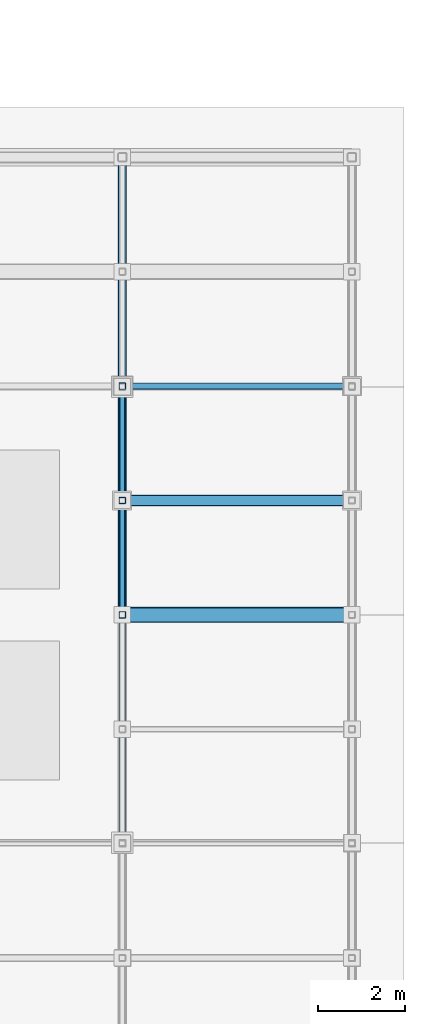
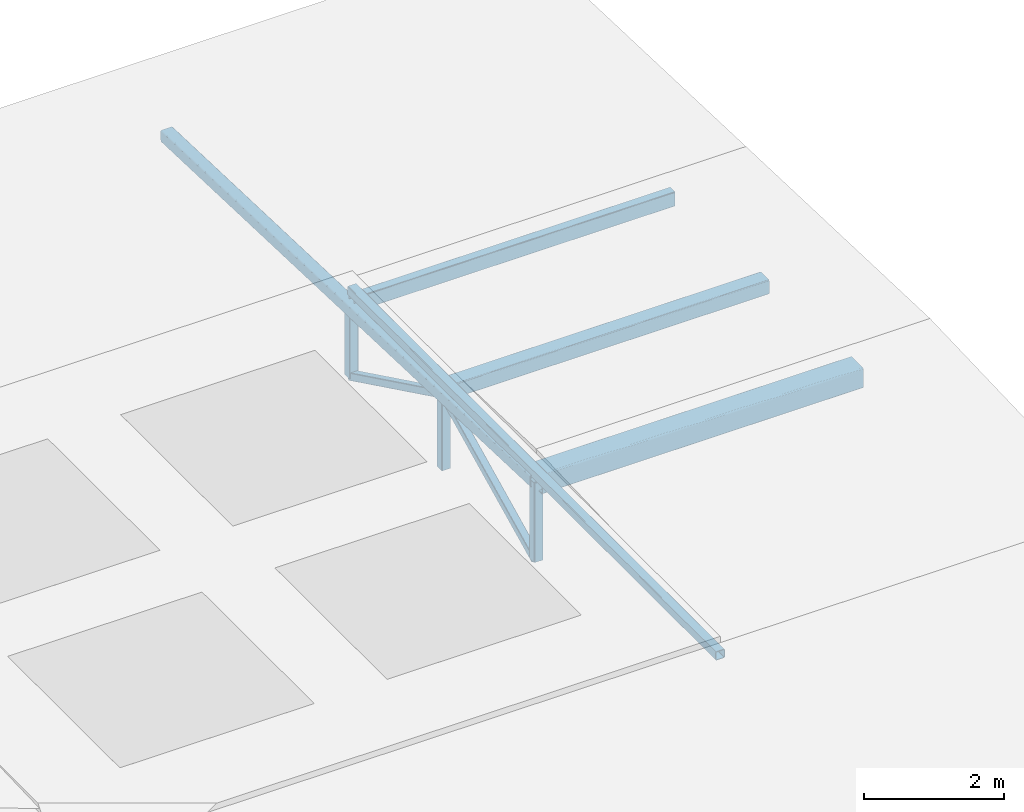
# One storey, part 5 of 25: 8 members, 2 beams.
"""IFC4 building model written with IfcOpenShell, lengths in metres."""

from ifc_helpers import new_model, si_unit, direction, frame, origin, origin_2d, place, context, subcontext, project, spatial, hollow_rectangle, extrude, material, material_profile, profile_set, type_object, element, save


model = new_model("IFC4")

# Units and contexts
model_context = context("Model", 3, precision=1e-05, world=origin(), true_north=direction((0.0, 1.0)))
body_context = subcontext(model_context, "Body", "Model", "MODEL_VIEW")
ifc_project = project(units=[si_unit("LENGTHUNIT", "METRE"), si_unit("AREAUNIT", "SQUARE_METRE"), si_unit("VOLUMEUNIT", "CUBIC_METRE"), si_unit("PLANEANGLEUNIT", "RADIAN"), si_unit("MASSUNIT", "GRAM", prefix="KILO"), si_unit("THERMODYNAMICTEMPERATUREUNIT", "KELVIN"), si_unit("POWERUNIT", "WATT")], contexts=[model_context])

# Site, building, storey
site_placement = place(None, origin())
site = spatial("IfcSite", under=ifc_project, at=site_placement, CompositionType="ELEMENT")
building_placement = place(site_placement, origin())
building = spatial("IfcBuilding", under=site, at=building_placement, Name="Zelmaris Science Centre", CompositionType="ELEMENT")
storey_placement = place(building_placement, frame((0.0, 0.0, 30.0)))
storey = spatial("IfcBuildingStorey", under=building, at=storey_placement, Name="RF", CompositionType="ELEMENT", Elevation=30.0)

# Beams
ifc_material = material(Name="Steel ASTM A500 Grade C", Category="steel")
ifc_material_profile_1 = material_profile(ifc_material, hollow_rectangle(XDim=0.203125, YDim=0.203125, WallThickness=0.01171875, InnerFilletRadius=0.01171875, OuterFilletRadius=0.023681640625, at=origin_2d()), Name="HSS203X203X13")
ifc_profile_set_1 = profile_set([ifc_material_profile_1], Name="Steel ASTM A500 Grade C")
beam_type_1 = type_object("IfcBeamType", Name="Beam G-20 HSS203X203X13", PredefinedType="BEAM", material=ifc_profile_set_1)
beam_1_placement = place(storey_placement, frame((86.25, 36.0, 1.728271484375), z_axis=(0.0, 0.99934977862, -0.036055789719), x_axis=(-1.0, 0.0, 0.0)))
element("IfcBeam", 1, at=beam_1_placement, inside=storey, type_object=beam_type_1, Name="RF-V2 Roof truss 3 north top chord", PredefinedType="BEAM", context=body_context, shape_type="SweptSolid", body=[
    extrude(hollow_rectangle(XDim=0.203125, YDim=0.203125, WallThickness=0.01171875, InnerFilletRadius=0.01171875, OuterFilletRadius=0.023681640625, at=origin_2d()), origin(), (0.0, 0.0, 1.0), 10.542724609375),
])
ifc_material_profile_2 = material_profile(ifc_material, hollow_rectangle(XDim=0.15234375, YDim=0.15234375, WallThickness=0.0087890625, InnerFilletRadius=0.0087890625, OuterFilletRadius=0.017822265625, at=origin_2d()), Name="HSS152X152X10")
ifc_profile_set_2 = profile_set([ifc_material_profile_2], Name="Steel ASTM A500 Grade C")
beam_type_2 = type_object("IfcBeamType", Name="Beam G-21 HSS152X152X10", PredefinedType="BEAM", material=ifc_profile_set_2)
beam_2_placement = place(storey_placement, frame((86.25, 30.75, 1.860107421875), z_axis=(0.0, 1.0, 0.0), x_axis=(-1.0, 0.0, 0.0)))
element("IfcBeam", 2, at=beam_2_placement, inside=storey, type_object=beam_type_2, Name="RF-V2 Lantern transverse header 3", PredefinedType="BEAM", context=body_context, shape_type="SweptSolid", body=[
    extrude(hollow_rectangle(XDim=0.15234375, YDim=0.15234375, WallThickness=0.0087890625, InnerFilletRadius=0.0087890625, OuterFilletRadius=0.017822265625, at=origin_2d()), origin(), (0.0, 0.0, 1.0), 10.5),
])

# Members
ifc_material_profile_3 = material_profile(ifc_material, hollow_rectangle(XDim=0.15234375, YDim=0.25390625, WallThickness=0.0087890625, InnerFilletRadius=0.0087890625, OuterFilletRadius=0.017822265625, at=origin_2d()), Name="HSS254X152X10")
ifc_profile_set_3 = profile_set([ifc_material_profile_3], Name="Steel ASTM A500 Grade C")
member_type_1 = type_object("IfcMemberType", Name="Roof Purlin PR-01 HSS254X152X10", PredefinedType="PURLIN", material=ifc_profile_set_3)
member_1_placement = place(storey_placement, frame((86.25, 41.267822265625, 1.60791015625), z_axis=(1.0, 0.0, 0.0), x_axis=(0.0, 1.0, 0.0)))
element("IfcMember", 3, at=member_1_placement, inside=storey, type_object=member_type_1, Name="RF-V2 Roof purlin 22", PredefinedType="PURLIN", context=body_context, shape_type="SweptSolid", body=[
    extrude(hollow_rectangle(XDim=0.15234375, YDim=0.25390625, WallThickness=0.0087890625, InnerFilletRadius=0.0087890625, OuterFilletRadius=0.017822265625, at=origin_2d()), origin(), (0.0, 0.0, 1.0), 5.285888671875),
])
ifc_material_profile_4 = material_profile(ifc_material, hollow_rectangle(XDim=0.355712890625, YDim=0.355712890625, WallThickness=0.0146484375, InnerFilletRadius=0.0146484375, OuterFilletRadius=0.029296875, at=origin_2d()), Name="HSS356X356X16")
ifc_profile_set_4 = profile_set([ifc_material_profile_4], Name="Steel ASTM A500 Grade C")
member_type_2 = type_object("IfcMemberType", Name="Roof Purlin PR-08 HSS356X356X16", PredefinedType="PURLIN", material=ifc_profile_set_4)
member_2_placement = place(storey_placement, frame((86.25, 36.0, 1.7470703125), z_axis=(1.0, 0.0, 0.0), x_axis=(0.0, 1.0, 0.0)))
element("IfcMember", 4, at=member_2_placement, inside=storey, type_object=member_type_2, Name="RF-V2 Roof purlin 20", PredefinedType="PURLIN", context=body_context, shape_type="SweptSolid", body=[
    extrude(hollow_rectangle(XDim=0.355712890625, YDim=0.355712890625, WallThickness=0.0146484375, InnerFilletRadius=0.0146484375, OuterFilletRadius=0.029296875, at=origin_2d()), origin(), (0.0, 0.0, 1.0), 5.285888671875),
])
ifc_material_profile_5 = material_profile(ifc_material, hollow_rectangle(XDim=0.25390625, YDim=0.25390625, WallThickness=0.01171875, InnerFilletRadius=0.01171875, OuterFilletRadius=0.023681640625, at=origin_2d()), Name="HSS254X254X13")
ifc_profile_set_5 = profile_set([ifc_material_profile_5], Name="Steel ASTM A500 Grade C")
member_type_3 = type_object("IfcMemberType", Name="Roof Purlin PR-09 HSS254X254X13", PredefinedType="PURLIN", material=ifc_profile_set_5)
member_3_placement = place(storey_placement, frame((86.25, 38.634033203125, 1.702880859375), z_axis=(1.0, 0.0, 0.0), x_axis=(0.0, 1.0, 0.0)))
element("IfcMember", 5, at=member_3_placement, inside=storey, type_object=member_type_3, Name="RF-V2 Roof purlin 21", PredefinedType="PURLIN", context=body_context, shape_type="SweptSolid", body=[
    extrude(hollow_rectangle(XDim=0.25390625, YDim=0.25390625, WallThickness=0.01171875, InnerFilletRadius=0.01171875, OuterFilletRadius=0.023681640625, at=origin_2d()), origin(), (0.0, 0.0, 1.0), 5.285888671875),
])
ifc_material_profile_6 = material_profile(ifc_material, hollow_rectangle(XDim=0.15234375, YDim=0.15234375, WallThickness=0.0087890625, InnerFilletRadius=0.0087890625, OuterFilletRadius=0.017822265625, at=origin_2d()), Name="HSS152X152X10")
ifc_profile_set_6 = profile_set([ifc_material_profile_6], Name="Steel ASTM A500 Grade C")
member_type_4 = type_object("IfcMemberType", Name="Structural Brace BR-03 HSS152X152X10", PredefinedType="BRACE", material=ifc_profile_set_6)
member_4_placement = place(storey_placement, frame((86.25, 36.0, 0.34814453125), z_axis=(0.0, 0.0, 1.0), x_axis=(1.0, 0.0, 0.0)))
element("IfcMember", 6, at=member_4_placement, inside=storey, type_object=member_type_4, Name="RF-V2 Roof truss 3 vertical web 4", PredefinedType="BRACE", context=body_context, shape_type="SweptSolid", body=[
    extrude(hollow_rectangle(XDim=0.15234375, YDim=0.15234375, WallThickness=0.0087890625, InnerFilletRadius=0.0087890625, OuterFilletRadius=0.017822265625, at=origin_2d()), origin(), (0.0, 0.0, 1.0), 1.380126953125),
])
member_5_placement = place(storey_placement, frame((86.25, 38.634033203125, 0.34814453125), z_axis=(0.0, 0.0, 1.0), x_axis=(1.0, 0.0, 0.0)))
element("IfcMember", 7, at=member_5_placement, inside=storey, type_object=member_type_4, Name="RF-V2 Roof truss 3 vertical web 5", PredefinedType="BRACE", context=body_context, shape_type="SweptSolid", body=[
    extrude(hollow_rectangle(XDim=0.15234375, YDim=0.15234375, WallThickness=0.0087890625, InnerFilletRadius=0.0087890625, OuterFilletRadius=0.017822265625, at=origin_2d()), origin(), (0.0, 0.0, 1.0), 1.28515625),
])
member_6_placement = place(storey_placement, frame((86.25, 41.267822265625, 0.34814453125), z_axis=(0.0, 0.0, 1.0), x_axis=(1.0, 0.0, 0.0)))
element("IfcMember", 8, at=member_6_placement, inside=storey, type_object=member_type_4, Name="RF-V2 Roof truss 3 vertical web 6", PredefinedType="BRACE", context=body_context, shape_type="SweptSolid", body=[
    extrude(hollow_rectangle(XDim=0.15234375, YDim=0.15234375, WallThickness=0.0087890625, InnerFilletRadius=0.0087890625, OuterFilletRadius=0.017822265625, at=origin_2d()), origin(), (0.0, 0.0, 1.0), 1.18994140625),
])
ifc_material_profile_7 = material_profile(ifc_material, hollow_rectangle(XDim=0.126953125, YDim=0.126953125, WallThickness=0.00732421875, InnerFilletRadius=0.00732421875, OuterFilletRadius=0.014892578125, at=origin_2d()), Name="HSS127X127X8")
ifc_profile_set_7 = profile_set([ifc_material_profile_7], Name="Steel ASTM A500 Grade C")
member_type_5 = type_object("IfcMemberType", Name="Structural Brace BR-04 HSS127X127X8", PredefinedType="BRACE", material=ifc_profile_set_7)
member_7_placement = place(storey_placement, frame((86.25, 36.0, 0.34814453125), z_axis=(0.0, 0.898733216997, 0.438495843384), x_axis=(-1.0, 0.0, 0.0)))
element("IfcMember", 9, at=member_7_placement, inside=storey, type_object=member_type_5, Name="RF-V2 Roof truss 3 web diagonal 5", PredefinedType="BRACE", context=body_context, shape_type="SweptSolid", body=[
    extrude(hollow_rectangle(XDim=0.126953125, YDim=0.126953125, WallThickness=0.00732421875, InnerFilletRadius=0.00732421875, OuterFilletRadius=0.014892578125, at=origin_2d()), origin(), (0.0, 0.0, 1.0), 2.930908203125),
])
member_8_placement = place(storey_placement, frame((86.25, 38.634033203125, 1.63330078125), z_axis=(0.0, 0.898717198221, -0.438528673659), x_axis=(-1.0, 0.0, 0.0)))
element("IfcMember", 10, at=member_8_placement, inside=storey, type_object=member_type_5, Name="RF-V2 Roof truss 3 web diagonal 6", PredefinedType="BRACE", context=body_context, shape_type="SweptSolid", body=[
    extrude(hollow_rectangle(XDim=0.126953125, YDim=0.126953125, WallThickness=0.00732421875, InnerFilletRadius=0.00732421875, OuterFilletRadius=0.014892578125, at=origin_2d()), origin(), (0.0, 0.0, 1.0), 2.9306640625),
])

save(model, "model.ifc")
